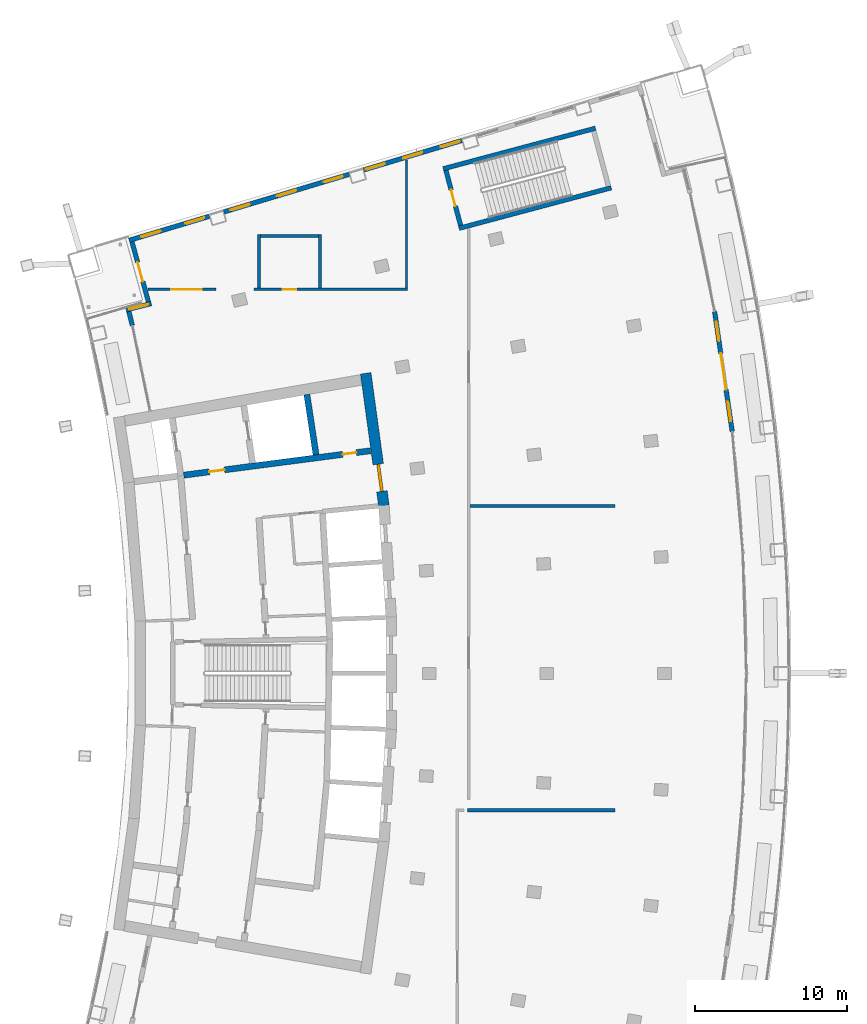
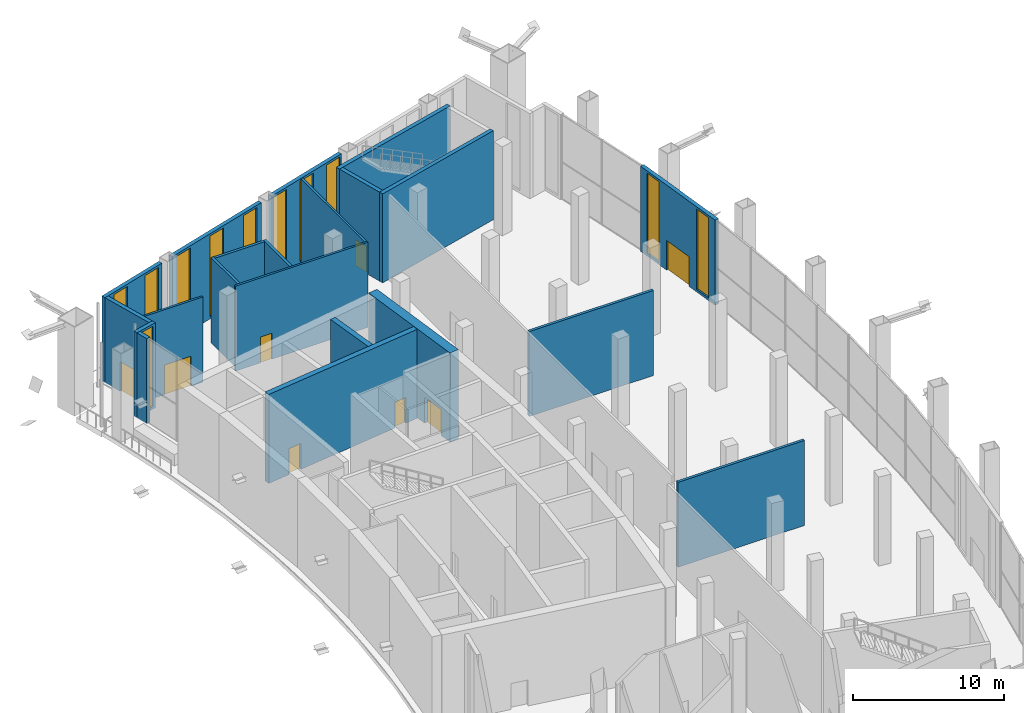
# One storey, part 18 of 26: 21 walls, 11 windows, 8 doors, 19 openings.
"""IFC4 building model written with IfcOpenShell, lengths in metres."""

from ifc_helpers import new_model, si_unit, direction, frame, frame_2d, origin, place, context, subcontext, project, spatial, rectangle, extrude, material, layer, layer_set, type_object, element, fill, save


model = new_model("IFC4")

# Units and contexts
model_context = context("Model", 3, precision=1e-05, world=origin(), true_north=direction((0.0, 1.0)))
body_context = subcontext(model_context, "Body", "Model", "MODEL_VIEW")
ifc_project = project(units=[si_unit("LENGTHUNIT", "METRE"), si_unit("AREAUNIT", "SQUARE_METRE"), si_unit("VOLUMEUNIT", "CUBIC_METRE"), si_unit("PLANEANGLEUNIT", "RADIAN"), si_unit("MASSUNIT", "GRAM", prefix="KILO")], contexts=[model_context])

# Site, building, storey
site_placement = place(None, origin())
site = spatial("IfcSite", under=ifc_project, at=site_placement, CompositionType="ELEMENT")
building_placement = place(site_placement, origin())
building = spatial("IfcBuilding", under=site, at=building_placement, Name="Alderwake Tower", CompositionType="ELEMENT")
storey_placement = place(building_placement, frame((0.0, 0.0, 182.0)))
storey = spatial("IfcBuildingStorey", under=building, at=storey_placement, Name="L45", CompositionType="ELEMENT", Elevation=182.0)

# Wall, opening, door
ifc_material_1 = material(Name="Concrete C70/85", Category="concrete")
ifc_layer_1 = layer(ifc_material_1, 0.699951171875)
ifc_layer_set_1 = layer_set([ifc_layer_1], Name="Core wall outer 700 C70-85")
wall_type_1 = type_object("IfcWallType", Name="Core wall outer 700 C70-85", PredefinedType="SHEAR", material=ifc_layer_set_1)
wall_1_placement = place(storey_placement, frame((31.618896484375, 80.735107421875, 0.0), z_axis=(0.0, 0.0, 1.0), x_axis=(0.135835706655, -0.99073137671, 0.0)))
wall_1 = element("IfcWall", 1, at=wall_1_placement, inside=storey, type_object=wall_type_1, Name="Core wall CW.009", PredefinedType="SHEAR", context=body_context, shape_type="SweptSolid", body=[
    extrude(rectangle(XDim=8.790771484375, YDim=0.699951171875, at=frame_2d((4.3955078125, 0.0))), origin(), (0.0, 0.0, 1.0), 7.199951171875),
])
opening_1_placement = place(wall_1_placement, frame((6.035888671875, 0.0, 0.0)))
opening_1 = element("IfcOpeningElement", 2, at=opening_1_placement, cuts=wall_1, Name="Opening C001", PredefinedType="OPENING", context=body_context, shape_type="SweptSolid", body=[
    extrude(rectangle(XDim=1.800048828125, YDim=2.10009765625, at=frame_2d((0.89990234375, 1.050048828125))), frame((0.0, 0.35986328125, 0.0), z_axis=(0.0, -1.0, 0.0), x_axis=(1.0, 0.0, 0.0)), (0.0, 0.0, 1.0), 0.719970703125),
])
ifc_material_2 = material(Name="Steel-framed fire door leaves", Category="steel")
door_type_1 = type_object("IfcDoorType", Name="Core double door 1800 fire-rated", OperationType="DOUBLE_DOOR_SINGLE_SWING", PredefinedType="DOOR", material=ifc_material_2)
door_1_placement = place(opening_1_placement, origin())
door_1 = element("IfcDoor", 3, at=door_1_placement, inside=storey, type_object=door_type_1, Name="Lobby double door", OperationType="DOUBLE_DOOR_SINGLE_SWING", OverallHeight=2.10009765625, OverallWidth=1.800048828125, PredefinedType="DOOR", context=body_context, shape_type="SweptSolid", body=[
    extrude(rectangle(XDim=1.800048828125, YDim=2.10009765625, at=frame_2d((0.89990234375, 1.050048828125))), frame((0.0, 0.10009765625, 0.0), z_axis=(0.0, -1.0, 0.0), x_axis=(1.0, 0.0, 0.0)), (0.0, 0.0, 1.0), 0.199951171875),
])
fill(opening_1, door_1)

# Wall
ifc_material_3 = material(Name="Concrete C70/85", Category="concrete")
ifc_layer_2 = layer(ifc_material_3, 0.39990234375)
ifc_layer_set_2 = layer_set([ifc_layer_2], Name="Core wall spine 400 C70-85")
wall_type_2 = type_object("IfcWallType", Name="Core wall spine 400 C70-85", PredefinedType="SHEAR", material=ifc_layer_set_2)
wall_2_placement = place(storey_placement, frame((28.350830078125, 75.373291015625, 0.0), z_axis=(0.0, 0.0, 1.0), x_axis=(-0.149688214264, 0.988733249421, 0.0)))
element("IfcWall", 4, at=wall_2_placement, inside=storey, type_object=wall_type_2, Name="Core wall CW.001", PredefinedType="SHEAR", context=body_context, shape_type="SweptSolid", body=[
    extrude(rectangle(XDim=4.01220703125, YDim=0.39990234375, at=frame_2d((2.006103515625, 0.0))), origin(), (0.0, 0.0, 1.0), 7.199951171875),
])

# Wall, openings, doors
wall_3_placement = place(storey_placement, frame((31.933837890625, 75.64013671875, 0.0), z_axis=(0.0, 0.0, 1.0), x_axis=(-0.991554628634, -0.129689700573, 0.0)))
wall_3 = element("IfcWall", 5, at=wall_3_placement, inside=storey, type_object=wall_type_2, Name="Core wall CW.052", PredefinedType="SHEAR", context=body_context, shape_type="SweptSolid", body=[
    extrude(rectangle(XDim=12.38671875, YDim=0.39990234375, at=frame_2d((6.193359375, 0.0))), origin(), (0.0, 0.0, 1.0), 7.199951171875),
])
opening_2_placement = place(wall_3_placement, frame((9.687255859375, 0.0, 0.0)))
opening_2 = element("IfcOpeningElement", 6, at=opening_2_placement, cuts=wall_3, Name="Opening C002", PredefinedType="OPENING", context=body_context, shape_type="SweptSolid", body=[
    extrude(rectangle(XDim=1.0, YDim=2.10009765625, at=frame_2d((0.5, 1.050048828125))), frame((0.0, 0.2099609375, 0.0), z_axis=(0.0, -1.0, 0.0), x_axis=(1.0, 0.0, 0.0)), (0.0, 0.0, 1.0), 0.419921875),
])
opening_3_placement = place(wall_3_placement, frame((0.937255859375, 0.0, 0.0)))
opening_3 = element("IfcOpeningElement", 7, at=opening_3_placement, cuts=wall_3, Name="Opening C020", PredefinedType="OPENING", context=body_context, shape_type="SweptSolid", body=[
    extrude(rectangle(XDim=0.89990234375, YDim=2.10009765625, at=frame_2d((0.449951171875, 1.050048828125))), frame((0.0, 0.2099609375, 0.0), z_axis=(0.0, -1.0, 0.0), x_axis=(1.0, 0.0, 0.0)), (0.0, 0.0, 1.0), 0.419921875),
])
ifc_material_4 = material(Name="Painted steel leaf", Category="steel")
door_type_2 = type_object("IfcDoorType", Name="Core room door 900", OperationType="SINGLE_SWING_LEFT", PredefinedType="DOOR", material=ifc_material_4)
door_2_placement = place(opening_3_placement, origin())
door_2 = element("IfcDoor", 8, at=door_2_placement, inside=storey, type_object=door_type_2, Name="Room door", OperationType="SINGLE_SWING_RIGHT", OverallHeight=2.10009765625, OverallWidth=0.89990234375, PredefinedType="DOOR", context=body_context, shape_type="SweptSolid", body=[
    extrude(rectangle(XDim=0.89990234375, YDim=2.10009765625, at=frame_2d((0.449951171875, 1.050048828125))), frame((0.0, 0.02490234375, 0.0), z_axis=(0.0, -1.0, 0.0), x_axis=(1.0, 0.0, 0.0)), (0.0, 0.0, 1.0), 0.050048828125),
])
fill(opening_3, door_2)
ifc_material_5 = material(Name="Steel-framed fire door leaf", Category="steel")
door_type_3 = type_object("IfcDoorType", Name="Firefighting lobby door 1000 fire-rated", OperationType="SINGLE_SWING_LEFT", PredefinedType="DOOR", material=ifc_material_5)
door_3_placement = place(opening_2_placement, origin())
door_3 = element("IfcDoor", 9, at=door_3_placement, inside=storey, type_object=door_type_3, Name="Firefighting lobby door", OperationType="SINGLE_SWING_RIGHT", OverallHeight=2.10009765625, OverallWidth=1.0, PredefinedType="DOOR", context=body_context, shape_type="SweptSolid", body=[
    extrude(rectangle(XDim=1.0, YDim=2.10009765625, at=frame_2d((0.5, 1.050048828125))), frame((0.0, 0.02490234375, 0.0), z_axis=(0.0, -1.0, 0.0), x_axis=(1.0, 0.0, 0.0)), (0.0, 0.0, 1.0), 0.050048828125),
])
fill(opening_2, door_3)

# Walls
ifc_material_6 = material(Name="Concrete C70/85", Category="concrete")
ifc_layer_3 = layer(ifc_material_6, 0.300048828125)
ifc_layer_set_3 = layer_set([ifc_layer_3], Name="Core wall stair enclosure 300 C70-85")
wall_type_3 = type_object("IfcWallType", Name="Core wall stair enclosure 300 C70-85", PredefinedType="SHEAR", material=ifc_layer_set_3)
for number, where, z_axis, x_axis, name in (
    (10, (36.71142578125, 94.182373046875, 0.0), (0.0, 0.0, 1.0), (0.966309214305, 0.257383958996, 0.0), "Core wall CW.082"),
    (11, (37.75390625, 90.268798828125, 0.0), (0.0, 0.0, 1.0), (0.966309214305, 0.257383958996, 0.0), "Core wall CW.084"),
):
    element("IfcWall", number, at=place(storey_placement, frame(where, z_axis=z_axis, x_axis=x_axis)), inside=storey, type_object=wall_type_3, Name=name, PredefinedType="SHEAR", context=body_context, shape_type="SweptSolid", body=[
        extrude(rectangle(XDim=10.360107421875, YDim=0.300048828125, at=frame_2d((5.18017578125, 0.0))), origin(), (0.0, 0.0, 1.0), 7.199951171875),
    ])

# Wall, opening, door
wall_4_placement = place(storey_placement, frame((37.8603515625, 90.452392578125, 0.0), z_axis=(0.0, 0.0, 1.0), x_axis=(-0.257411420208, 0.966301899381, 0.0)))
wall_4 = element("IfcWall", 12, at=wall_4_placement, inside=storey, type_object=wall_type_3, Name="Core wall CW.083", PredefinedType="SHEAR", context=body_context, shape_type="SweptSolid", body=[
    extrude(rectangle(XDim=3.750244140625, YDim=0.300048828125, at=frame_2d((1.875, 0.0))), origin(), (0.0, 0.0, 1.0), 7.199951171875),
])
opening_4_placement = place(wall_4_placement, frame((1.324951171875, 0.0, 0.0)))
opening_4 = element("IfcOpeningElement", 13, at=opening_4_placement, cuts=wall_4, Name="Opening C062", PredefinedType="OPENING", context=body_context, shape_type="SweptSolid", body=[
    extrude(rectangle(XDim=1.10009765625, YDim=2.10009765625, at=frame_2d((0.550048828125, 1.050048828125))), frame((0.0, 0.159912109375, 0.0), z_axis=(0.0, -1.0, 0.0), x_axis=(1.0, 0.0, 0.0)), (0.0, 0.0, 1.0), 0.320068359375),
])
ifc_material_7 = material(Name="Steel-framed fire door leaf", Category="steel")
door_type_4 = type_object("IfcDoorType", Name="Core stair door 1100 fire-rated", OperationType="SINGLE_SWING_LEFT", PredefinedType="DOOR", material=ifc_material_7)
door_4_placement = place(opening_4_placement, origin())
door_4 = element("IfcDoor", 14, at=door_4_placement, inside=storey, type_object=door_type_4, Name="Stair door", OperationType="SINGLE_SWING_RIGHT", OverallHeight=2.10009765625, OverallWidth=1.10009765625, PredefinedType="DOOR", context=body_context, shape_type="SweptSolid", body=[
    extrude(rectangle(XDim=1.10009765625, YDim=2.10009765625, at=frame_2d((0.550048828125, 1.050048828125))), frame((0.0, 0.02490234375, 0.0), z_axis=(0.0, -1.0, 0.0), x_axis=(1.0, 0.0, 0.0)), (0.0, 0.0, 1.0), 0.050048828125),
])
fill(opening_4, door_4)

ifc_material_8 = material(Name="Gypsum board on metal studs, rated")
ifc_layer_4 = layer(ifc_material_8, 0.159912109375)
ifc_layer_set_4 = layer_set([ifc_layer_4], Name="Corridor wall 160")
wall_type_4 = type_object("IfcWallType", Name="Corridor wall 160", PredefinedType="PARTITIONING", material=ifc_layer_set_4)
wall_5_placement = place(storey_placement, frame((21.782958984375, 86.25, 0.0), z_axis=(0.0, 0.0, 1.0), x_axis=(-1.0, 0.0, 0.0)))
wall_5 = element("IfcWall", 15, at=wall_5_placement, inside=storey, type_object=wall_type_4, Name="WL/L45/W11", PredefinedType="PARTITIONING", context=body_context, shape_type="SweptSolid", body=[
    extrude(rectangle(XDim=4.489013671875, YDim=0.159912109375, at=frame_2d((2.24462890625, 0.0))), origin(), (0.0, 0.0, 1.0), 6.8798828125),
])
opening_5_placement = place(wall_5_placement, frame((0.94921875, 0.0, 0.0)))
opening_5 = element("IfcOpeningElement", 16, at=opening_5_placement, cuts=wall_5, Name="Opening L45-04", PredefinedType="OPENING", context=body_context, shape_type="SweptSolid", body=[
    extrude(rectangle(XDim=2.0, YDim=2.39990234375, at=frame_2d((1.0, 1.199951171875))), frame((0.0, 0.08984375, 0.0), z_axis=(0.0, -1.0, 0.0), x_axis=(1.0, 0.0, 0.0)), (0.0, 0.0, 1.0), 0.179931640625),
])
ifc_material_9 = material(Name="Timber leaves with glazed panels", Category="wood")
door_type_5 = type_object("IfcDoorType", Name="Hall double door 2000", OperationType="DOUBLE_DOOR_SINGLE_SWING", PredefinedType="DOOR", material=ifc_material_9)
door_5_placement = place(opening_5_placement, origin())
door_5 = element("IfcDoor", 17, at=door_5_placement, inside=storey, type_object=door_type_5, Name="DR/L45/04", OperationType="DOUBLE_DOOR_SINGLE_SWING", OverallHeight=2.39990234375, OverallWidth=2.0, PredefinedType="DOOR", context=body_context, shape_type="SweptSolid", body=[
    extrude(rectangle(XDim=2.0, YDim=2.39990234375, at=frame_2d((1.0, 1.199951171875))), frame((0.0, 0.02490234375, 0.0), z_axis=(0.0, -1.0, 0.0), x_axis=(1.0, 0.0, 0.0)), (0.0, 0.0, 1.0), 0.050048828125),
])
fill(opening_5, door_5)

wall_6_placement = place(storey_placement, frame((34.37890625, 86.25, 0.0), z_axis=(0.0, 0.0, 1.0), x_axis=(-1.0, 0.0, 0.0)))
wall_6 = element("IfcWall", 18, at=wall_6_placement, inside=storey, type_object=wall_type_4, Name="WL/L45/W15", PredefinedType="PARTITIONING", context=body_context, shape_type="SweptSolid", body=[
    extrude(rectangle(XDim=10.117919921875, YDim=0.159912109375, at=frame_2d((5.05908203125, 0.0))), origin(), (0.0, 0.0, 1.0), 6.8798828125),
])
opening_6_placement = place(wall_6_placement, frame((7.3291015625, 0.0, 0.0)))
opening_6 = element("IfcOpeningElement", 19, at=opening_6_placement, cuts=wall_6, Name="Opening L45-09", PredefinedType="OPENING", context=body_context, shape_type="SweptSolid", body=[
    extrude(rectangle(XDim=0.89990234375, YDim=2.10009765625, at=frame_2d((0.449951171875, 1.050048828125))), frame((0.0, 0.08984375, 0.0), z_axis=(0.0, -1.0, 0.0), x_axis=(1.0, 0.0, 0.0)), (0.0, 0.0, 1.0), 0.179931640625),
])
ifc_material_10 = material(Name="Painted timber leaf", Category="wood")
door_type_6 = type_object("IfcDoorType", Name="Room door 900", OperationType="SINGLE_SWING_LEFT", PredefinedType="DOOR", material=ifc_material_10)
door_6_placement = place(opening_6_placement, origin())
door_6 = element("IfcDoor", 20, at=door_6_placement, inside=storey, type_object=door_type_6, Name="DR/L45/09", OperationType="SINGLE_SWING_LEFT", OverallHeight=2.10009765625, OverallWidth=0.89990234375, PredefinedType="DOOR", context=body_context, shape_type="SweptSolid", body=[
    extrude(rectangle(XDim=0.89990234375, YDim=2.10009765625, at=frame_2d((0.449951171875, 1.050048828125))), frame((0.0, 0.02490234375, 0.0), z_axis=(0.0, -1.0, 0.0), x_axis=(1.0, 0.0, 0.0)), (0.0, 0.0, 1.0), 0.050048828125),
])
fill(opening_6, door_6)

# Walls
wall_7_placement = place(storey_placement, frame((34.299072265625, 94.77392578125, 0.0), z_axis=(0.0, 0.0, 1.0), x_axis=(0.0, -1.0, 0.0)))
element("IfcWall", 21, at=wall_7_placement, inside=storey, type_object=wall_type_4, Name="WL/L45/W16", PredefinedType="PARTITIONING", context=body_context, shape_type="SweptSolid", body=[
    extrude(rectangle(XDim=8.44384765625, YDim=0.159912109375, at=frame_2d((4.221923828125, 0.0))), origin(), (0.0, 0.0, 1.0), 6.8798828125),
])
ifc_material_11 = material(Name="Precast concrete C50/60 spandrel panel", Category="concrete")
ifc_layer_5 = layer(ifc_material_11, 0.300048828125)
ifc_layer_set_5 = layer_set([ifc_layer_5], Name="External wall EW1 Precast concrete C50/60 spandrel")
wall_type_5 = type_object("IfcWallType", Name="External wall EW1 Precast concrete C50/60 spandrel", PredefinedType="SOLIDWALL", material=ifc_layer_set_5)
wall_8_placement = place(storey_placement, frame((16.043701171875, 84.795166015625, 0.0), z_axis=(0.0, 0.0, 1.0), x_axis=(0.238511880711, -0.971139579442, 0.0)))
element("IfcWall", 22, at=wall_8_placement, inside=storey, type_object=wall_type_5, Name="External wall 2", PredefinedType="SOLIDWALL", context=body_context, shape_type="SweptSolid", body=[
    extrude(rectangle(XDim=0.942626953125, YDim=0.300048828125, at=frame_2d((0.47119140625, 0.0))), origin(), (0.0, 0.0, 1.0), 6.8798828125),
])

# Wall, openings, door, windows
wall_9_placement = place(storey_placement, frame((55.72119140625, 76.90478515625, 0.0), z_axis=(0.0, 0.0, 1.0), x_axis=(-0.145325613694, 0.989383882022, 0.0)))
wall_9 = element("IfcWall", 23, at=wall_9_placement, inside=storey, type_object=wall_type_5, Name="External wall 16", PredefinedType="SOLIDWALL", context=body_context, shape_type="SweptSolid", body=[
    extrude(rectangle(XDim=7.97314453125, YDim=0.300048828125, at=frame_2d((3.986572265625, 0.0))), origin(), (0.0, 0.0, 1.0), 6.8798828125),
])
opening_7_placement = place(wall_9_placement, frame((0.6787109375, 0.0, 0.199951171875)))
opening_7 = element("IfcOpeningElement", 24, at=opening_7_placement, cuts=wall_9, Name="Opening W5", PredefinedType="OPENING", context=body_context, shape_type="SweptSolid", body=[
    extrude(rectangle(XDim=1.300048828125, YDim=6.5, at=frame_2d((0.64990234375, 3.25))), frame((0.0, 0.159912109375, 0.0), z_axis=(0.0, -1.0, 0.0), x_axis=(1.0, 0.0, 0.0)), (0.0, 0.0, 1.0), 0.320068359375),
])
opening_8_placement = place(wall_9_placement, frame((2.78662109375, 0.0, 0.0)))
opening_8 = element("IfcOpeningElement", 25, at=opening_8_placement, cuts=wall_9, Name="Opening D05", PredefinedType="OPENING", context=body_context, shape_type="SweptSolid", body=[
    extrude(rectangle(XDim=2.39990234375, YDim=2.39990234375, at=frame_2d((1.199951171875, 1.199951171875))), frame((0.0, 0.159912109375, 0.0), z_axis=(0.0, -1.0, 0.0), x_axis=(1.0, 0.0, 0.0)), (0.0, 0.0, 1.0), 0.320068359375),
])
opening_9_placement = place(wall_9_placement, frame((5.994140625, 0.0, 0.199951171875)))
opening_9 = element("IfcOpeningElement", 26, at=opening_9_placement, cuts=wall_9, Name="Opening W5", PredefinedType="OPENING", context=body_context, shape_type="SweptSolid", body=[
    extrude(rectangle(XDim=1.300048828125, YDim=6.5, at=frame_2d((0.64990234375, 3.25))), frame((0.0, 0.159912109375, 0.0), z_axis=(0.0, -1.0, 0.0), x_axis=(1.0, 0.0, 0.0)), (0.0, 0.0, 1.0), 0.320068359375),
])
ifc_material_12 = material(Name="Bronze tinted glass in aluminium frame", Category="aluminium")
door_type_7 = type_object("IfcDoorType", Name="Garden door GD sliding", OperationType="DOUBLE_DOOR_SINGLE_SWING", PredefinedType="DOOR", material=ifc_material_12)
door_7_placement = place(opening_8_placement, origin())
door_7 = element("IfcDoor", 27, at=door_7_placement, inside=storey, type_object=door_type_7, Name="Door D05", OperationType="DOUBLE_DOOR_SINGLE_SWING", OverallHeight=2.39990234375, OverallWidth=2.39990234375, PredefinedType="DOOR", context=body_context, shape_type="SweptSolid", body=[
    extrude(rectangle(XDim=2.39990234375, YDim=2.39990234375, at=frame_2d((1.199951171875, 1.199951171875))), frame((0.0, 0.02490234375, 0.0), z_axis=(0.0, -1.0, 0.0), x_axis=(1.0, 0.0, 0.0)), (0.0, 0.0, 1.0), 0.050048828125),
])
fill(opening_8, door_7)
ifc_material_13 = material(Name="Bronze tinted glass in aluminium frame", Category="aluminium")
window_type = type_object("IfcWindowType", Name="Window W5 garden floor tall", PartitioningType="SINGLE_PANEL", PredefinedType="WINDOW", material=ifc_material_13)
window_1_placement = place(opening_7_placement, origin())
window_1 = element("IfcWindow", 28, at=window_1_placement, inside=storey, type_object=window_type, Name="Window W5 garden floor tall", OverallHeight=6.5, OverallWidth=1.300048828125, PartitioningType="SINGLE_PANEL", PredefinedType="WINDOW", context=body_context, shape_type="SweptSolid", body=[
    extrude(rectangle(XDim=1.300048828125, YDim=6.5, at=frame_2d((0.64990234375, 3.25))), frame((0.0, 0.030029296875, 0.0), z_axis=(0.0, -1.0, 0.0), x_axis=(1.0, 0.0, 0.0)), (0.0, 0.0, 1.0), 0.06005859375),
])
fill(opening_7, window_1)
window_2_placement = place(opening_9_placement, origin())
window_2 = element("IfcWindow", 29, at=window_2_placement, inside=storey, type_object=window_type, Name="Window W5 garden floor tall", OverallHeight=6.5, OverallWidth=1.300048828125, PartitioningType="SINGLE_PANEL", PredefinedType="WINDOW", context=body_context, shape_type="SweptSolid", body=[
    extrude(rectangle(XDim=1.300048828125, YDim=6.5, at=frame_2d((0.64990234375, 3.25))), frame((0.0, 0.030029296875, 0.0), z_axis=(0.0, -1.0, 0.0), x_axis=(1.0, 0.0, 0.0)), (0.0, 0.0, 1.0), 0.06005859375),
])
fill(opening_9, window_2)

# Wall, opening, window
ifc_material_14 = material(Name="Bronze metal cladding on lightweight framing")
ifc_layer_6 = layer(ifc_material_14, 0.300048828125)
ifc_layer_set_6 = layer_set([ifc_layer_6], Name="External wall EW2 bronze metal cladding")
wall_type_6 = type_object("IfcWallType", Name="External wall EW2 bronze metal cladding", PredefinedType="SOLIDWALL", material=ifc_layer_set_6)
wall_10_placement = place(storey_placement, frame((17.51611328125, 85.32275390625, 0.0), z_axis=(0.0, 0.0, 1.0), x_axis=(-0.969396971861, -0.245498494794, 0.0)))
wall_10 = element("IfcWall", 30, at=wall_10_placement, inside=storey, type_object=wall_type_6, Name="External wall 1", PredefinedType="SOLIDWALL", context=body_context, shape_type="SweptSolid", body=[
    extrude(rectangle(XDim=1.70556640625, YDim=0.300048828125, at=frame_2d((0.852783203125, 0.0))), origin(), (0.0, 0.0, 1.0), 6.8798828125),
])
opening_10_placement = place(wall_10_placement, frame((0.202880859375, 0.0, 0.199951171875)))
opening_10 = element("IfcOpeningElement", 31, at=opening_10_placement, cuts=wall_10, Name="Opening W5", PredefinedType="OPENING", context=body_context, shape_type="SweptSolid", body=[
    extrude(rectangle(XDim=1.300048828125, YDim=6.5, at=frame_2d((0.64990234375, 3.25))), frame((0.0, 0.159912109375, 0.0), z_axis=(0.0, -1.0, 0.0), x_axis=(1.0, 0.0, 0.0)), (0.0, 0.0, 1.0), 0.320068359375),
])
window_3_placement = place(opening_10_placement, origin())
window_3 = element("IfcWindow", 32, at=window_3_placement, inside=storey, type_object=window_type, Name="Window W5 garden floor tall", OverallHeight=6.5, OverallWidth=1.300048828125, PartitioningType="SINGLE_PANEL", PredefinedType="WINDOW", context=body_context, shape_type="SweptSolid", body=[
    extrude(rectangle(XDim=1.300048828125, YDim=6.5, at=frame_2d((0.64990234375, 3.25))), frame((0.0, 0.030029296875, 0.0), z_axis=(0.0, -1.0, 0.0), x_axis=(1.0, 0.0, 0.0)), (0.0, 0.0, 1.0), 0.06005859375),
])
fill(opening_10, window_3)

# Wall, openings, windows
wall_11_placement = place(storey_placement, frame((37.9345703125, 96.0419921875, 0.0), z_axis=(0.0, 0.0, 1.0), x_axis=(-0.957766354081, -0.287547580396, 0.0)))
wall_11 = element("IfcWall", 33, at=wall_11_placement, inside=storey, type_object=wall_type_6, Name="External wall 22", PredefinedType="SOLIDWALL", context=body_context, shape_type="SweptSolid", body=[
    extrude(rectangle(XDim=6.7294921875, YDim=0.300048828125, at=frame_2d((3.36474609375, 0.0))), origin(), (0.0, 0.0, 1.0), 6.8798828125),
])
opening_11_placement = place(wall_11_placement, frame((0.136962890625, 0.0, 0.199951171875)))
opening_11 = element("IfcOpeningElement", 34, at=opening_11_placement, cuts=wall_11, Name="Opening W5", PredefinedType="OPENING", context=body_context, shape_type="SweptSolid", body=[
    extrude(rectangle(XDim=1.300048828125, YDim=6.5, at=frame_2d((0.64990234375, 3.25))), frame((0.0, 0.159912109375, 0.0), z_axis=(0.0, -1.0, 0.0), x_axis=(1.0, 0.0, 0.0)), (0.0, 0.0, 1.0), 0.320068359375),
])
opening_12_placement = place(wall_11_placement, frame((2.71484375, 0.0, 0.199951171875)))
opening_12 = element("IfcOpeningElement", 35, at=opening_12_placement, cuts=wall_11, Name="Opening W5", PredefinedType="OPENING", context=body_context, shape_type="SweptSolid", body=[
    extrude(rectangle(XDim=1.300048828125, YDim=6.5, at=frame_2d((0.64990234375, 3.25))), frame((0.0, 0.159912109375, 0.0), z_axis=(0.0, -1.0, 0.0), x_axis=(1.0, 0.0, 0.0)), (0.0, 0.0, 1.0), 0.320068359375),
])
opening_13_placement = place(wall_11_placement, frame((5.29248046875, 0.0, 0.199951171875)))
opening_13 = element("IfcOpeningElement", 36, at=opening_13_placement, cuts=wall_11, Name="Opening W5", PredefinedType="OPENING", context=body_context, shape_type="SweptSolid", body=[
    extrude(rectangle(XDim=1.300048828125, YDim=6.5, at=frame_2d((0.64990234375, 3.25))), frame((0.0, 0.159912109375, 0.0), z_axis=(0.0, -1.0, 0.0), x_axis=(1.0, 0.0, 0.0)), (0.0, 0.0, 1.0), 0.320068359375),
])
window_4_placement = place(opening_11_placement, origin())
window_4 = element("IfcWindow", 37, at=window_4_placement, inside=storey, type_object=window_type, Name="Window W5 garden floor tall", OverallHeight=6.5, OverallWidth=1.300048828125, PartitioningType="SINGLE_PANEL", PredefinedType="WINDOW", context=body_context, shape_type="SweptSolid", body=[
    extrude(rectangle(XDim=1.300048828125, YDim=6.5, at=frame_2d((0.64990234375, 3.25))), frame((0.0, 0.030029296875, 0.0), z_axis=(0.0, -1.0, 0.0), x_axis=(1.0, 0.0, 0.0)), (0.0, 0.0, 1.0), 0.06005859375),
])
fill(opening_11, window_4)
window_5_placement = place(opening_12_placement, origin())
window_5 = element("IfcWindow", 38, at=window_5_placement, inside=storey, type_object=window_type, Name="Window W5 garden floor tall", OverallHeight=6.5, OverallWidth=1.300048828125, PartitioningType="SINGLE_PANEL", PredefinedType="WINDOW", context=body_context, shape_type="SweptSolid", body=[
    extrude(rectangle(XDim=1.300048828125, YDim=6.5, at=frame_2d((0.64990234375, 3.25))), frame((0.0, 0.030029296875, 0.0), z_axis=(0.0, -1.0, 0.0), x_axis=(1.0, 0.0, 0.0)), (0.0, 0.0, 1.0), 0.06005859375),
])
fill(opening_12, window_5)
window_6_placement = place(opening_13_placement, origin())
window_6 = element("IfcWindow", 39, at=window_6_placement, inside=storey, type_object=window_type, Name="Window W5 garden floor tall", OverallHeight=6.5, OverallWidth=1.300048828125, PartitioningType="SINGLE_PANEL", PredefinedType="WINDOW", context=body_context, shape_type="SweptSolid", body=[
    extrude(rectangle(XDim=1.300048828125, YDim=6.5, at=frame_2d((0.64990234375, 3.25))), frame((0.0, 0.030029296875, 0.0), z_axis=(0.0, -1.0, 0.0), x_axis=(1.0, 0.0, 0.0)), (0.0, 0.0, 1.0), 0.06005859375),
])
fill(opening_13, window_6)

wall_12_placement = place(storey_placement, frame((30.527587890625, 93.818115234375, 0.0), z_axis=(0.0, 0.0, 1.0), x_axis=(-0.957768419769, -0.287540699891, 0.0)))
wall_12 = element("IfcWall", 40, at=wall_12_placement, inside=storey, type_object=wall_type_6, Name="External wall 23", PredefinedType="SOLIDWALL", context=body_context, shape_type="SweptSolid", body=[
    extrude(rectangle(XDim=8.595947265625, YDim=0.300048828125, at=frame_2d((4.2978515625, 0.0))), origin(), (0.0, 0.0, 1.0), 6.8798828125),
])
opening_14_placement = place(wall_12_placement, frame((0.447998046875, 0.0, 0.199951171875)))
opening_14 = element("IfcOpeningElement", 41, at=opening_14_placement, cuts=wall_12, Name="Opening W5", PredefinedType="OPENING", context=body_context, shape_type="SweptSolid", body=[
    extrude(rectangle(XDim=1.300048828125, YDim=6.5, at=frame_2d((0.64990234375, 3.25))), frame((0.0, 0.159912109375, 0.0), z_axis=(0.0, -1.0, 0.0), x_axis=(1.0, 0.0, 0.0)), (0.0, 0.0, 1.0), 0.320068359375),
])
opening_15_placement = place(wall_12_placement, frame((3.64794921875, 0.0, 0.199951171875)))
opening_15 = element("IfcOpeningElement", 42, at=opening_15_placement, cuts=wall_12, Name="Opening W5", PredefinedType="OPENING", context=body_context, shape_type="SweptSolid", body=[
    extrude(rectangle(XDim=1.300048828125, YDim=6.5, at=frame_2d((0.64990234375, 3.25))), frame((0.0, 0.159912109375, 0.0), z_axis=(0.0, -1.0, 0.0), x_axis=(1.0, 0.0, 0.0)), (0.0, 0.0, 1.0), 0.320068359375),
])
opening_16_placement = place(wall_12_placement, frame((6.84814453125, 0.0, 0.199951171875)))
opening_16 = element("IfcOpeningElement", 43, at=opening_16_placement, cuts=wall_12, Name="Opening W5", PredefinedType="OPENING", context=body_context, shape_type="SweptSolid", body=[
    extrude(rectangle(XDim=1.300048828125, YDim=6.5, at=frame_2d((0.64990234375, 3.25))), frame((0.0, 0.159912109375, 0.0), z_axis=(0.0, -1.0, 0.0), x_axis=(1.0, 0.0, 0.0)), (0.0, 0.0, 1.0), 0.320068359375),
])
window_7_placement = place(opening_14_placement, origin())
window_7 = element("IfcWindow", 44, at=window_7_placement, inside=storey, type_object=window_type, Name="Window W5 garden floor tall", OverallHeight=6.5, OverallWidth=1.300048828125, PartitioningType="SINGLE_PANEL", PredefinedType="WINDOW", context=body_context, shape_type="SweptSolid", body=[
    extrude(rectangle(XDim=1.300048828125, YDim=6.5, at=frame_2d((0.64990234375, 3.25))), frame((0.0, 0.030029296875, 0.0), z_axis=(0.0, -1.0, 0.0), x_axis=(1.0, 0.0, 0.0)), (0.0, 0.0, 1.0), 0.06005859375),
])
fill(opening_14, window_7)
window_8_placement = place(opening_15_placement, origin())
window_8 = element("IfcWindow", 45, at=window_8_placement, inside=storey, type_object=window_type, Name="Window W5 garden floor tall", OverallHeight=6.5, OverallWidth=1.300048828125, PartitioningType="SINGLE_PANEL", PredefinedType="WINDOW", context=body_context, shape_type="SweptSolid", body=[
    extrude(rectangle(XDim=1.300048828125, YDim=6.5, at=frame_2d((0.64990234375, 3.25))), frame((0.0, 0.030029296875, 0.0), z_axis=(0.0, -1.0, 0.0), x_axis=(1.0, 0.0, 0.0)), (0.0, 0.0, 1.0), 0.06005859375),
])
fill(opening_15, window_8)
window_9_placement = place(opening_16_placement, origin())
window_9 = element("IfcWindow", 46, at=window_9_placement, inside=storey, type_object=window_type, Name="Window W5 garden floor tall", OverallHeight=6.5, OverallWidth=1.300048828125, PartitioningType="SINGLE_PANEL", PredefinedType="WINDOW", context=body_context, shape_type="SweptSolid", body=[
    extrude(rectangle(XDim=1.300048828125, YDim=6.5, at=frame_2d((0.64990234375, 3.25))), frame((0.0, 0.030029296875, 0.0), z_axis=(0.0, -1.0, 0.0), x_axis=(1.0, 0.0, 0.0)), (0.0, 0.0, 1.0), 0.06005859375),
])
fill(opening_16, window_9)

wall_13_placement = place(storey_placement, frame((21.332763671875, 91.0576171875, 0.0), z_axis=(0.0, 0.0, 1.0), x_axis=(-0.957767615614, -0.287543378434, 0.0)))
wall_13 = element("IfcWall", 47, at=wall_13_placement, inside=storey, type_object=wall_type_6, Name="External wall 24", PredefinedType="SOLIDWALL", context=body_context, shape_type="SweptSolid", body=[
    extrude(rectangle(XDim=5.499267578125, YDim=0.300048828125, at=frame_2d((2.74951171875, 0.0))), origin(), (0.0, 0.0, 1.0), 6.8798828125),
])
opening_17_placement = place(wall_13_placement, frame((0.34814453125, 0.0, 0.199951171875)))
opening_17 = element("IfcOpeningElement", 48, at=opening_17_placement, cuts=wall_13, Name="Opening W5", PredefinedType="OPENING", context=body_context, shape_type="SweptSolid", body=[
    extrude(rectangle(XDim=1.300048828125, YDim=6.5, at=frame_2d((0.64990234375, 3.25))), frame((0.0, 0.159912109375, 0.0), z_axis=(0.0, -1.0, 0.0), x_axis=(1.0, 0.0, 0.0)), (0.0, 0.0, 1.0), 0.320068359375),
])
opening_18_placement = place(wall_13_placement, frame((3.34912109375, 0.0, 0.199951171875)))
opening_18 = element("IfcOpeningElement", 49, at=opening_18_placement, cuts=wall_13, Name="Opening W5", PredefinedType="OPENING", context=body_context, shape_type="SweptSolid", body=[
    extrude(rectangle(XDim=1.300048828125, YDim=6.5, at=frame_2d((0.64990234375, 3.25))), frame((0.0, 0.159912109375, 0.0), z_axis=(0.0, -1.0, 0.0), x_axis=(1.0, 0.0, 0.0)), (0.0, 0.0, 1.0), 0.320068359375),
])
window_10_placement = place(opening_17_placement, origin())
window_10 = element("IfcWindow", 50, at=window_10_placement, inside=storey, type_object=window_type, Name="Window W5 garden floor tall", OverallHeight=6.5, OverallWidth=1.300048828125, PartitioningType="SINGLE_PANEL", PredefinedType="WINDOW", context=body_context, shape_type="SweptSolid", body=[
    extrude(rectangle(XDim=1.300048828125, YDim=6.5, at=frame_2d((0.64990234375, 3.25))), frame((0.0, 0.030029296875, 0.0), z_axis=(0.0, -1.0, 0.0), x_axis=(1.0, 0.0, 0.0)), (0.0, 0.0, 1.0), 0.06005859375),
])
fill(opening_17, window_10)
window_11_placement = place(opening_18_placement, origin())
window_11 = element("IfcWindow", 51, at=window_11_placement, inside=storey, type_object=window_type, Name="Window W5 garden floor tall", OverallHeight=6.5, OverallWidth=1.300048828125, PartitioningType="SINGLE_PANEL", PredefinedType="WINDOW", context=body_context, shape_type="SweptSolid", body=[
    extrude(rectangle(XDim=1.300048828125, YDim=6.5, at=frame_2d((0.64990234375, 3.25))), frame((0.0, 0.030029296875, 0.0), z_axis=(0.0, -1.0, 0.0), x_axis=(1.0, 0.0, 0.0)), (0.0, 0.0, 1.0), 0.06005859375),
])
fill(opening_18, window_11)

# Wall, opening, door
wall_14_placement = place(storey_placement, frame((16.248779296875, 89.374755859375, 0.0), z_axis=(0.0, 0.0, 1.0), x_axis=(0.264607053468, -0.964356317579, 0.0)))
wall_14 = element("IfcWall", 52, at=wall_14_placement, inside=storey, type_object=wall_type_6, Name="External wall 25", PredefinedType="SOLIDWALL", context=body_context, shape_type="SweptSolid", body=[
    extrude(rectangle(XDim=4.090087890625, YDim=0.300048828125, at=frame_2d((2.044921875, 0.0))), origin(), (0.0, 0.0, 1.0), 6.8798828125),
])
opening_19_placement = place(wall_14_placement, frame((1.39501953125, 0.0, 0.0)))
opening_19 = element("IfcOpeningElement", 53, at=opening_19_placement, cuts=wall_14, Name="Opening D07", PredefinedType="OPENING", context=body_context, shape_type="SweptSolid", body=[
    extrude(rectangle(XDim=1.300048828125, YDim=2.39990234375, at=frame_2d((0.64990234375, 1.199951171875))), frame((0.0, 0.159912109375, 0.0), z_axis=(0.0, -1.0, 0.0), x_axis=(1.0, 0.0, 0.0)), (0.0, 0.0, 1.0), 0.320068359375),
])
ifc_material_15 = material(Name="Bronze tinted glass in aluminium frame", Category="aluminium")
door_type_8 = type_object("IfcDoorType", Name="Balcony door BD sliding", OperationType="SLIDING_TO_LEFT", PredefinedType="DOOR", material=ifc_material_15)
door_8_placement = place(opening_19_placement, origin())
door_8 = element("IfcDoor", 54, at=door_8_placement, inside=storey, type_object=door_type_8, Name="Door D07", OperationType="SLIDING_TO_LEFT", OverallHeight=2.39990234375, OverallWidth=1.300048828125, PredefinedType="DOOR", context=body_context, shape_type="SweptSolid", body=[
    extrude(rectangle(XDim=1.300048828125, YDim=2.39990234375, at=frame_2d((0.64990234375, 1.199951171875))), frame((0.0, 0.02490234375, 0.0), z_axis=(0.0, -1.0, 0.0), x_axis=(1.0, 0.0, 0.0)), (0.0, 0.0, 1.0), 0.050048828125),
])
fill(opening_19, door_8)

# Walls
ifc_material_16 = material(Name="Dense block masonry wall", Category="masonry")
ifc_layer_7 = layer(ifc_material_16, 0.199951171875)
ifc_layer_set_7 = layer_set([ifc_layer_7], Name="Party wall 200")
wall_type_7 = type_object("IfcWallType", Name="Party wall 200", PredefinedType="SOLIDWALL", material=ifc_layer_set_7)
for number, where, z_axis, x_axis, name in (
    (55, (24.60009765625, 89.85107421875, 0.0), (0.0, 0.0, 1.0), (0.0, -1.0, 0.0), "WL/L45/W03"),
    (56, (28.59912109375, 86.330078125, 0.0), (0.0, 0.0, 1.0), (0.0, 1.0, 0.0), "WL/L45/W04"),
):
    element("IfcWall", number, at=place(storey_placement, frame(where, z_axis=z_axis, x_axis=x_axis)), inside=storey, type_object=wall_type_7, Name=name, PredefinedType="SOLIDWALL", context=body_context, shape_type="SweptSolid", body=[
        extrude(rectangle(XDim=3.52099609375, YDim=0.199951171875, at=frame_2d((1.760498046875, 0.0))), origin(), (0.0, 0.0, 1.0), 6.8798828125),
    ])
wall_15_placement = place(storey_placement, frame((28.4990234375, 89.7509765625, 0.0), z_axis=(0.0, 0.0, 1.0), x_axis=(-1.0, 0.0, 0.0)))
element("IfcWall", 57, at=wall_15_placement, inside=storey, type_object=wall_type_7, Name="WL/L45/W05", PredefinedType="SOLIDWALL", context=body_context, shape_type="SweptSolid", body=[
    extrude(rectangle(XDim=3.799072265625, YDim=0.199951171875, at=frame_2d((1.8994140625, 0.0))), origin(), (0.0, 0.0, 1.0), 6.8798828125),
])
wall_16_placement = place(storey_placement, frame((48.0, 51.9990234375, 0.0), z_axis=(0.0, 0.0, 1.0), x_axis=(-1.0, 0.0, 0.0)))
element("IfcWall", 58, at=wall_16_placement, inside=storey, type_object=wall_type_7, Name="WL/L45/W07", PredefinedType="SOLIDWALL", context=body_context, shape_type="SweptSolid", body=[
    extrude(rectangle(XDim=9.679931640625, YDim=0.199951171875, at=frame_2d((4.83984375, 0.0))), origin(), (0.0, 0.0, 1.0), 6.8798828125),
])
wall_17_placement = place(storey_placement, frame((48.0, 72.0, 0.0), z_axis=(0.0, 0.0, 1.0), x_axis=(-1.0, 0.0, 0.0)))
element("IfcWall", 59, at=wall_17_placement, inside=storey, type_object=wall_type_7, Name="WL/L45/W08", PredefinedType="SOLIDWALL", context=body_context, shape_type="SweptSolid", body=[
    extrude(rectangle(XDim=9.52001953125, YDim=0.199951171875, at=frame_2d((4.760009765625, 0.0))), origin(), (0.0, 0.0, 1.0), 6.8798828125),
])

save(model, "model.ifc")
